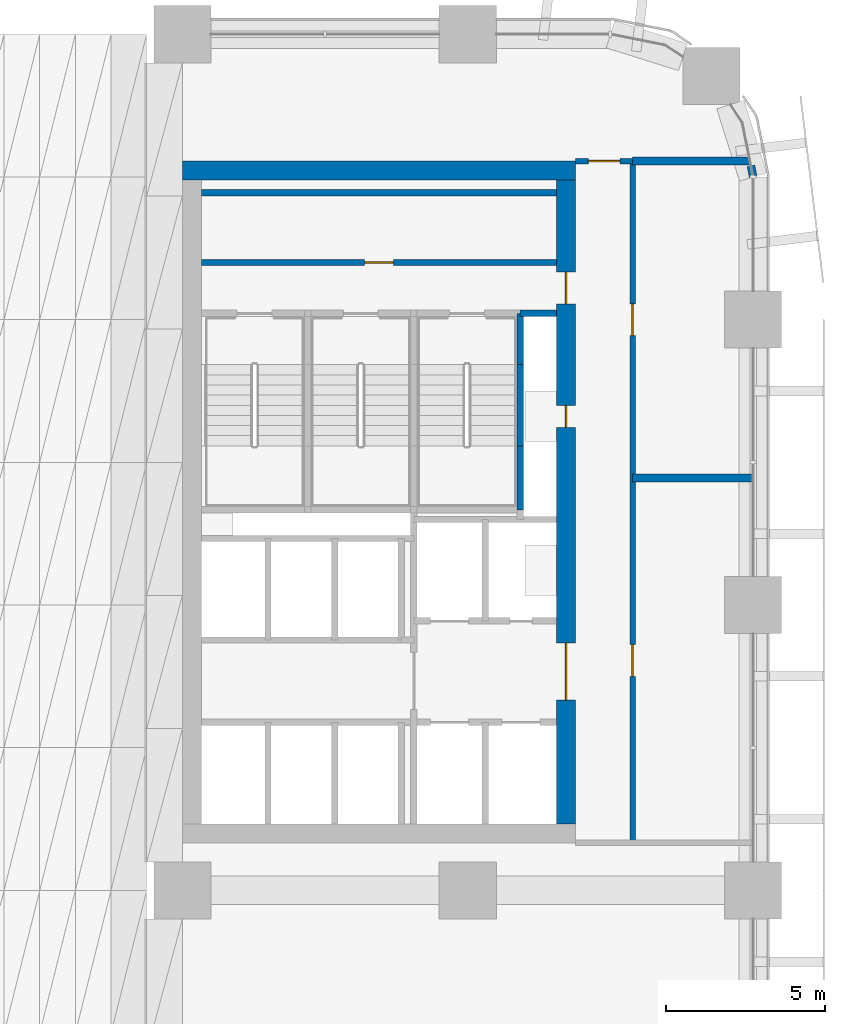
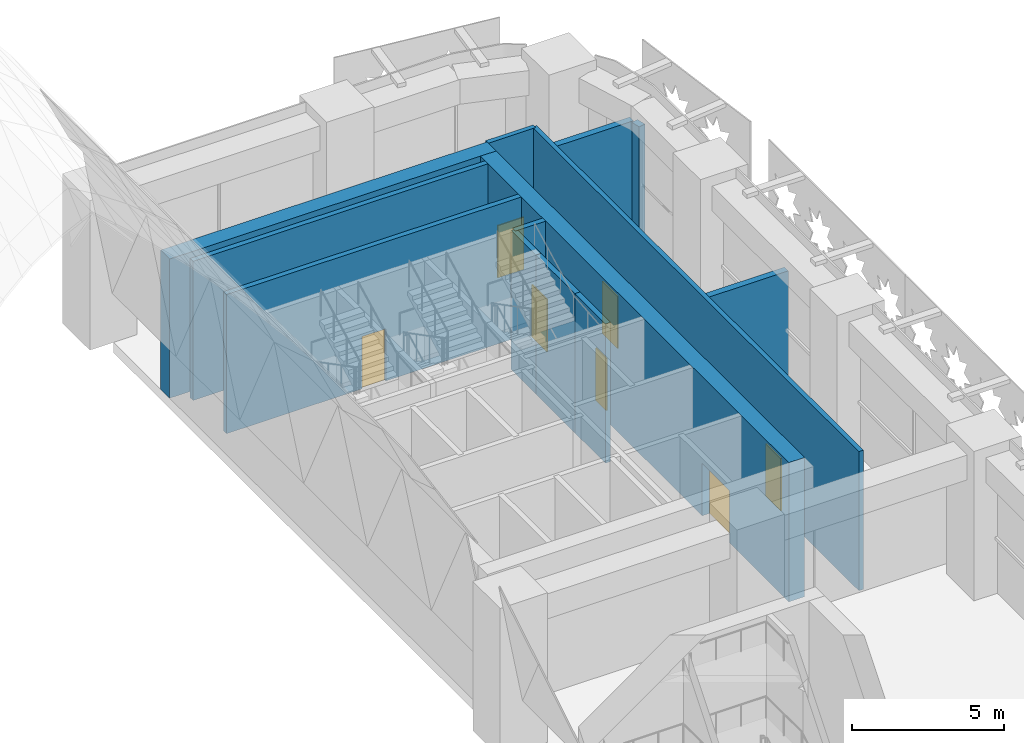
# One storey, part 22 of 46: 13 walls, 7 doors, 7 openings.
"""IFC4 building model written with IfcOpenShell, lengths in metres."""

from ifc_helpers import new_model, si_unit, direction, frame, frame_2d, origin, place, context, subcontext, project, spatial, rectangle, extrude, material, layer, layer_set, type_object, element, fill, save


model = new_model("IFC4")

# Units and contexts
model_context = context("Model", 3, precision=1e-05, world=origin(), true_north=direction((0.0, 1.0)))
body_context = subcontext(model_context, "Body", "Model", "MODEL_VIEW")
ifc_project = project(units=[si_unit("LENGTHUNIT", "METRE"), si_unit("AREAUNIT", "SQUARE_METRE"), si_unit("VOLUMEUNIT", "CUBIC_METRE"), si_unit("PLANEANGLEUNIT", "RADIAN"), si_unit("MASSUNIT", "GRAM", prefix="KILO")], contexts=[model_context])

# Site, building, storey
site_placement = place(None, origin())
site = spatial("IfcSite", under=ifc_project, at=site_placement, CompositionType="ELEMENT")
building_placement = place(site_placement, origin())
building = spatial("IfcBuilding", under=site, at=building_placement, Name="Tessera Arch", CompositionType="ELEMENT")
storey_placement = place(building_placement, frame((0.0, 0.0, 8.0)))
storey = spatial("IfcBuildingStorey", under=building, at=storey_placement, Name="L01", CompositionType="ELEMENT", Elevation=8.0)

# Wall, opening, door
ifc_material_1 = material(Name="Gypsum board on steel stud", Category="steel")
ifc_layer_1 = layer(ifc_material_1, 0.125)
ifc_layer_set_1 = layer_set([ifc_layer_1], Name="Core partition 125 EI 60")
wall_type_1 = type_object("IfcWallType", Name="Core partition 125 EI 60", PredefinedType="PARTITIONING", material=ifc_layer_set_1)
wall_1_placement = place(storey_placement, frame((36.60009765625, 46.800048828125, 0.0), z_axis=(0.0, 0.0, 1.0), x_axis=(1.0, 0.0, 0.0)))
wall_1 = element("IfcWall", 1, at=wall_1_placement, inside=storey, type_object=wall_type_1, Name="L01 C1 partition wall 37", PredefinedType="PARTITIONING", context=body_context, shape_type="SweptSolid", body=[
    extrude(rectangle(XDim=11.199951171875, YDim=0.199951171875, at=frame_2d((5.60009765625, 0.0))), origin(), (0.0, 0.0, 1.0), 5.590087890625),
])
opening_1_placement = place(wall_1_placement, frame((5.14990234375, 0.0, 0.0)))
opening_1 = element("IfcOpeningElement", 2, at=opening_1_placement, cuts=wall_1, Name="Opening L01-C12", PredefinedType="OPENING", context=body_context, shape_type="SweptSolid", body=[
    extrude(rectangle(XDim=0.89990234375, YDim=2.10009765625, at=frame_2d((0.449951171875, 1.050048828125))), frame((0.0, 0.10986328125, 0.0), z_axis=(0.0, -1.0, 0.0), x_axis=(1.0, 0.0, 0.0)), (0.0, 0.0, 1.0), 0.219970703125),
])
ifc_material_2 = material(Name="Steel door leaf", Category="steel")
door_type_1 = type_object("IfcDoorType", Name="Store door FD30S 900 x 2100", OperationType="SINGLE_SWING_LEFT", PredefinedType="DOOR", material=ifc_material_2)
door_1_placement = place(opening_1_placement, origin())
door_1 = element("IfcDoor", 3, at=door_1_placement, inside=storey, type_object=door_type_1, Name="L01 C1 door 12 C12 type D09", OperationType="SINGLE_SWING_RIGHT", OverallHeight=2.10009765625, OverallWidth=0.89990234375, PredefinedType="DOOR", context=body_context, shape_type="SweptSolid", body=[
    extrude(rectangle(XDim=0.89990234375, YDim=2.10009765625, at=frame_2d((0.449951171875, 1.050048828125))), frame((0.0, 0.02490234375, 0.0), z_axis=(0.0, -1.0, 0.0), x_axis=(1.0, 0.0, 0.0)), (0.0, 0.0, 1.0), 0.050048828125),
])
fill(opening_1, door_1)

# Walls
wall_2_placement = place(storey_placement, frame((36.60009765625, 49.0, 0.0), z_axis=(0.0, 0.0, 1.0), x_axis=(1.0, 0.0, 0.0)))
element("IfcWall", 4, at=wall_2_placement, inside=storey, type_object=wall_type_1, Name="L01 C1 partition wall 38", PredefinedType="PARTITIONING", context=body_context, shape_type="SweptSolid", body=[
    extrude(rectangle(XDim=11.199951171875, YDim=0.199951171875, at=frame_2d((5.60009765625, 0.0))), origin(), (0.0, 0.0, 1.0), 5.590087890625),
])
ifc_material_3 = material(Name="Concrete C70/85", Category="concrete")
ifc_layer_2 = layer(ifc_material_3, 0.60009765625)
ifc_layer_set_2 = layer_set([ifc_layer_2], Name="Core shell wall 600 C70-85")
wall_type_2 = type_object("IfcWallType", Name="Core shell wall 600 C70-85", PredefinedType="SHEAR", material=ifc_layer_set_2)
wall_3_placement = place(storey_placement, frame((36.0, 49.699951171875, 0.0), z_axis=(0.0, 0.0, 1.0), x_axis=(1.0, 0.0, 0.0)))
element("IfcWall", 5, at=wall_3_placement, inside=storey, type_object=wall_type_2, Name="L01 C1 core wall N", PredefinedType="SHEAR", context=body_context, shape_type="SweptSolid", body=[
    extrude(rectangle(XDim=12.39990234375, YDim=0.60009765625, at=frame_2d((6.199951171875, 0.0))), origin(), (0.0, 0.0, 1.0), 5.590087890625),
])

# Wall, openings, doors
wall_4_placement = place(storey_placement, frame((48.10009765625, 29.10009765625, 0.0), z_axis=(0.0, 0.0, 1.0), x_axis=(0.0, 1.0, 0.0)))
wall_4 = element("IfcWall", 6, at=wall_4_placement, inside=storey, type_object=wall_type_2, Name="L01 C1 core wall E", PredefinedType="SHEAR", context=body_context, shape_type="SweptSolid", body=[
    extrude(rectangle(XDim=20.2998046875, YDim=0.60009765625, at=frame_2d((10.14990234375, 0.0))), origin(), (0.0, 0.0, 1.0), 5.590087890625),
])
opening_2_placement = place(wall_4_placement, frame((12.5, 0.0, 0.0)))
opening_2 = element("IfcOpeningElement", 7, at=opening_2_placement, cuts=wall_4, Name="Opening L01-C08", PredefinedType="OPENING", context=body_context, shape_type="SweptSolid", body=[
    extrude(rectangle(XDim=0.699951171875, YDim=2.10009765625, at=frame_2d((0.35009765625, 1.050048828125))), frame((0.0, 0.31005859375, 0.0), z_axis=(0.0, -1.0, 0.0), x_axis=(1.0, 0.0, 0.0)), (0.0, 0.0, 1.0), 0.6201171875),
])
opening_3_placement = place(wall_4_placement, frame((3.89990234375, 0.0, 0.0)))
opening_3 = element("IfcOpeningElement", 8, at=opening_3_placement, cuts=wall_4, Name="Opening L01-C09", PredefinedType="OPENING", context=body_context, shape_type="SweptSolid", body=[
    extrude(rectangle(XDim=1.800048828125, YDim=2.10009765625, at=frame_2d((0.89990234375, 1.050048828125))), frame((0.0, 0.31005859375, 0.0), z_axis=(0.0, -1.0, 0.0), x_axis=(1.0, 0.0, 0.0)), (0.0, 0.0, 1.0), 0.6201171875),
])
opening_4_placement = place(wall_4_placement, frame((16.39990234375, 0.0, 0.0)))
opening_4 = element("IfcOpeningElement", 9, at=opening_4_placement, cuts=wall_4, Name="Opening L01-C11", PredefinedType="OPENING", context=body_context, shape_type="SweptSolid", body=[
    extrude(rectangle(XDim=1.0, YDim=2.10009765625, at=frame_2d((0.5, 1.050048828125))), frame((0.0, 0.31005859375, 0.0), z_axis=(0.0, -1.0, 0.0), x_axis=(1.0, 0.0, 0.0)), (0.0, 0.0, 1.0), 0.6201171875),
])
ifc_material_4 = material(Name="Steel door leaf", Category="steel")
door_type_2 = type_object("IfcDoorType", Name="Corridor door FD60 1000 x 2100", OperationType="SINGLE_SWING_LEFT", PredefinedType="DOOR", material=ifc_material_4)
door_2_placement = place(opening_4_placement, origin())
door_2 = element("IfcDoor", 10, at=door_2_placement, inside=storey, type_object=door_type_2, Name="L01 C1 door 11 C11 type D12", OperationType="SINGLE_SWING_RIGHT", OverallHeight=2.10009765625, OverallWidth=1.0, PredefinedType="DOOR", context=body_context, shape_type="SweptSolid", body=[
    extrude(rectangle(XDim=1.0, YDim=2.10009765625, at=frame_2d((0.5, 1.050048828125))), frame((0.0, 0.02490234375, 0.0), z_axis=(0.0, -1.0, 0.0), x_axis=(1.0, 0.0, 0.0)), (0.0, 0.0, 1.0), 0.050048828125),
])
fill(opening_4, door_2)
ifc_material_5 = material(Name="Glazed steel door leaf", Category="steel")
door_type_3 = type_object("IfcDoorType", Name="Lobby double door FD60 1800 x 2100", OperationType="DOUBLE_DOOR_SINGLE_SWING", PredefinedType="DOOR", material=ifc_material_5)
door_3_placement = place(opening_3_placement, origin())
door_3 = element("IfcDoor", 11, at=door_3_placement, inside=storey, type_object=door_type_3, Name="L01 C1 door 9 C09 type D19", OperationType="DOUBLE_DOOR_SINGLE_SWING", OverallHeight=2.10009765625, OverallWidth=1.800048828125, PredefinedType="DOOR", context=body_context, shape_type="SweptSolid", body=[
    extrude(rectangle(XDim=1.800048828125, YDim=2.10009765625, at=frame_2d((0.89990234375, 1.050048828125))), frame((0.0, 0.02490234375, 0.0), z_axis=(0.0, -1.0, 0.0), x_axis=(1.0, 0.0, 0.0)), (0.0, 0.0, 1.0), 0.050048828125),
])
fill(opening_3, door_3)
ifc_material_6 = material(Name="Steel door leaf", Category="steel")
door_type_4 = type_object("IfcDoorType", Name="Service shaft door FD60 700 x 2100", OperationType="SINGLE_SWING_LEFT", PredefinedType="DOOR", material=ifc_material_6)
door_4_placement = place(opening_2_placement, origin())
door_4 = element("IfcDoor", 12, at=door_4_placement, inside=storey, type_object=door_type_4, Name="L01 C1 door 8 C08 type D07", OperationType="SINGLE_SWING_RIGHT", OverallHeight=2.10009765625, OverallWidth=0.699951171875, PredefinedType="DOOR", context=body_context, shape_type="SweptSolid", body=[
    extrude(rectangle(XDim=0.699951171875, YDim=2.10009765625, at=frame_2d((0.35009765625, 1.050048828125))), frame((0.0, 0.02490234375, 0.0), z_axis=(0.0, -1.0, 0.0), x_axis=(1.0, 0.0, 0.0)), (0.0, 0.0, 1.0), 0.050048828125),
])
fill(opening_2, door_4)

# Wall, opening, door
ifc_material_7 = material(Name="Gypsum board on deep steel stud with mineral wool", Category="steel")
ifc_layer_3 = layer(ifc_material_7, 0.175048828125)
ifc_layer_set_3 = layer_set([ifc_layer_3], Name="Corridor wall 175 EI 60")
wall_type_3 = type_object("IfcWallType", Name="Corridor wall 175 EI 60", PredefinedType="PARTITIONING", material=ifc_layer_set_3)
wall_5_placement = place(storey_placement, frame((48.39990234375, 50.0, 0.0), z_axis=(0.0, 0.0, 1.0), x_axis=(1.0, 0.0, 0.0)))
wall_5 = element("IfcWall", 13, at=wall_5_placement, inside=storey, type_object=wall_type_3, Name="L01 partition 11", PredefinedType="PARTITIONING", context=body_context, shape_type="SweptSolid", body=[
    extrude(rectangle(XDim=1.800048828125, YDim=0.175048828125, at=frame_2d((0.89990234375, 0.0))), origin(), (0.0, 0.0, 1.0), 5.590087890625),
])
opening_5_placement = place(wall_5_placement, frame((0.39990234375, 0.0, 0.0)))
opening_5 = element("IfcOpeningElement", 14, at=opening_5_placement, cuts=wall_5, Name="Opening L01-D022", PredefinedType="OPENING", context=body_context, shape_type="SweptSolid", body=[
    extrude(rectangle(XDim=1.0, YDim=2.10009765625, at=frame_2d((0.5, 1.050048828125))), frame((0.0, 0.097412109375, 0.0), z_axis=(0.0, -1.0, 0.0), x_axis=(1.0, 0.0, 0.0)), (0.0, 0.0, 1.0), 0.195068359375),
])
ifc_material_8 = material(Name="Fire-rated door leaf")
door_type_5 = type_object("IfcDoorType", Name="Entrance door FD60 1000 x 2100", OperationType="SINGLE_SWING_LEFT", PredefinedType="DOOR", material=ifc_material_8)
door_5_placement = place(opening_5_placement, origin())
door_5 = element("IfcDoor", 15, at=door_5_placement, inside=storey, type_object=door_type_5, Name="L01 door D022 type D16", OperationType="SINGLE_SWING_RIGHT", OverallHeight=2.10009765625, OverallWidth=1.0, PredefinedType="DOOR", context=body_context, shape_type="SweptSolid", body=[
    extrude(rectangle(XDim=1.0, YDim=2.10009765625, at=frame_2d((0.5, 1.050048828125))), frame((0.0, 0.02490234375, 0.0), z_axis=(0.0, -1.0, 0.0), x_axis=(1.0, 0.0, 0.0)), (0.0, 0.0, 1.0), 0.050048828125),
])
fill(opening_5, door_5)

# Wall, openings, doors
wall_6_placement = place(storey_placement, frame((50.199951171875, 28.5, 0.0), z_axis=(0.0, 0.0, 1.0), x_axis=(0.0, 1.0, 0.0)))
wall_6 = element("IfcWall", 16, at=wall_6_placement, inside=storey, type_object=wall_type_3, Name="L01 partition 21", PredefinedType="PARTITIONING", context=body_context, shape_type="SweptSolid", body=[
    extrude(rectangle(XDim=21.5, YDim=0.175048828125, at=frame_2d((10.75, 0.0))), origin(), (0.0, 0.0, 1.0), 5.590087890625),
])
opening_6_placement = place(wall_6_placement, frame((5.25, 0.0, 0.0)))
opening_6 = element("IfcOpeningElement", 17, at=opening_6_placement, cuts=wall_6, Name="Opening L01-D011", PredefinedType="OPENING", context=body_context, shape_type="SweptSolid", body=[
    extrude(rectangle(XDim=1.0, YDim=2.10009765625, at=frame_2d((0.5, 1.050048828125))), frame((0.0, 0.097412109375, 0.0), z_axis=(0.0, -1.0, 0.0), x_axis=(1.0, 0.0, 0.0)), (0.0, 0.0, 1.0), 0.195068359375),
])
opening_7_placement = place(wall_6_placement, frame((16.0, 0.0, 0.0)))
opening_7 = element("IfcOpeningElement", 18, at=opening_7_placement, cuts=wall_6, Name="Opening L01-D012", PredefinedType="OPENING", context=body_context, shape_type="SweptSolid", body=[
    extrude(rectangle(XDim=1.0, YDim=2.10009765625, at=frame_2d((0.5, 1.050048828125))), frame((0.0, 0.097412109375, 0.0), z_axis=(0.0, -1.0, 0.0), x_axis=(1.0, 0.0, 0.0)), (0.0, 0.0, 1.0), 0.195068359375),
])
ifc_material_9 = material(Name="Fire-rated door leaf")
door_type_6 = type_object("IfcDoorType", Name="Entrance door FD30S 1000 x 2100", OperationType="SINGLE_SWING_LEFT", PredefinedType="DOOR", material=ifc_material_9)
door_6_placement = place(opening_6_placement, origin())
door_6 = element("IfcDoor", 19, at=door_6_placement, inside=storey, type_object=door_type_6, Name="L01 door D011 type D03", OperationType="SINGLE_SWING_LEFT", OverallHeight=2.10009765625, OverallWidth=1.0, PredefinedType="DOOR", context=body_context, shape_type="SweptSolid", body=[
    extrude(rectangle(XDim=1.0, YDim=2.10009765625, at=frame_2d((0.5, 1.050048828125))), frame((0.0, 0.02490234375, 0.0), z_axis=(0.0, -1.0, 0.0), x_axis=(1.0, 0.0, 0.0)), (0.0, 0.0, 1.0), 0.050048828125),
])
fill(opening_6, door_6)
door_7_placement = place(opening_7_placement, origin())
door_7 = element("IfcDoor", 20, at=door_7_placement, inside=storey, type_object=door_type_6, Name="L01 door D012 type D03", OperationType="SINGLE_SWING_LEFT", OverallHeight=2.10009765625, OverallWidth=1.0, PredefinedType="DOOR", context=body_context, shape_type="SweptSolid", body=[
    extrude(rectangle(XDim=1.0, YDim=2.10009765625, at=frame_2d((0.5, 1.050048828125))), frame((0.0, 0.02490234375, 0.0), z_axis=(0.0, -1.0, 0.0), x_axis=(1.0, 0.0, 0.0)), (0.0, 0.0, 1.0), 0.050048828125),
])
fill(opening_7, door_7)

# Walls
ifc_material_10 = material(Name="Double gypsum board on twin steel stud with acoustic mineral wool", Category="steel")
ifc_layer_4 = layer(ifc_material_10, 0.25)
ifc_layer_set_4 = layer_set([ifc_layer_4], Name="Party wall 250 EI 60")
wall_type_4 = type_object("IfcWallType", Name="Party wall 250 EI 60", PredefinedType="PARTITIONING", material=ifc_layer_set_4)
wall_7_placement = place(storey_placement, frame((50.199951171875, 40.0, 0.0), z_axis=(0.0, 0.0, 1.0), x_axis=(1.0, 0.0, 0.0)))
element("IfcWall", 21, at=wall_7_placement, inside=storey, type_object=wall_type_4, Name="L01 partition 37", PredefinedType="PARTITIONING", context=body_context, shape_type="SweptSolid", body=[
    extrude(rectangle(XDim=3.800048828125, YDim=0.25, at=frame_2d((1.89990234375, 0.0))), origin(), (0.0, 0.0, 1.0), 4.590087890625),
])
wall_8_placement = place(storey_placement, frame((50.199951171875, 50.0, 0.0), z_axis=(0.0, 0.0, 1.0), x_axis=(1.0, 0.0, 0.0)))
element("IfcWall", 22, at=wall_8_placement, inside=storey, type_object=wall_type_4, Name="L01 partition 38", PredefinedType="PARTITIONING", context=body_context, shape_type="SweptSolid", body=[
    extrude(rectangle(XDim=3.700439453125, YDim=0.25, at=frame_2d((1.85009765625, 0.0))), origin(), (0.0, 0.0, 1.0), 4.590087890625),
])
wall_9_placement = place(storey_placement, frame((53.930419921875, 49.8505859375, 0.0), z_axis=(0.0, 0.0, 1.0), x_axis=(0.194670995803, -0.980868596395, 0.0)))
element("IfcWall", 23, at=wall_9_placement, inside=storey, type_object=wall_type_4, Name="L01 partition 40", PredefinedType="PARTITIONING", context=body_context, shape_type="SweptSolid", body=[
    extrude(rectangle(XDim=0.357421875, YDim=0.25, at=frame_2d((0.1787109375, 0.0))), origin(), (0.0, 0.0, 1.0), 4.590087890625),
])
ifc_material_11 = material(Name="Concrete C40/50", Category="concrete")
ifc_layer_5 = layer(ifc_material_11, 0.199951171875)
ifc_layer_set_5 = layer_set([ifc_layer_5], Name="Shaft wall 200 EI 120")
wall_type_5 = type_object("IfcWallType", Name="Shaft wall 200 EI 120", PredefinedType="SOLIDWALL", material=ifc_layer_set_5)
wall_10_placement = place(storey_placement, frame((46.64990234375, 45.199951171875, 0.0), z_axis=(0.0, 0.0, 1.0), x_axis=(1.0, 0.0, 0.0)))
element("IfcWall", 24, at=wall_10_placement, inside=storey, type_object=wall_type_5, Name="L01 C1 shaft wall 31", PredefinedType="SOLIDWALL", context=body_context, shape_type="SweptSolid", body=[
    extrude(rectangle(XDim=1.150146484375, YDim=0.199951171875, at=frame_2d((0.5751953125, 0.0))), origin(), (0.0, 0.0, 1.0), 5.590087890625),
])
ifc_material_12 = material(Name="Concrete C40/50", Category="concrete")
ifc_layer_6 = layer(ifc_material_12, 0.199951171875)
ifc_layer_set_6 = layer_set([ifc_layer_6], Name="Stair well wall 200 REI 180")
wall_type_6 = type_object("IfcWallType", Name="Stair well wall 200 REI 180", PredefinedType="SOLIDWALL", material=ifc_layer_set_6)
wall_11_placement = place(storey_placement, frame((46.64990234375, 39.0, 0.0), z_axis=(0.0, 0.0, 1.0), x_axis=(0.0, 1.0, 0.0)))
element("IfcWall", 25, at=wall_11_placement, inside=storey, type_object=wall_type_6, Name="L01 C1 shaft wall 17", PredefinedType="SOLIDWALL", context=body_context, shape_type="SweptSolid", body=[
    extrude(rectangle(XDim=2.02001953125, YDim=0.199951171875, at=frame_2d((1.010009765625, 0.0))), origin(), (0.0, 0.0, 1.0), 5.590087890625),
])
wall_12_placement = place(storey_placement, frame((46.64990234375, 41.02001953125, 0.0), z_axis=(0.0, 0.0, 1.0), x_axis=(0.0, 1.0, 0.0)))
element("IfcWall", 26, at=wall_12_placement, inside=storey, type_object=wall_type_6, Name="L01 C1 shaft wall 18", PredefinedType="SOLIDWALL", context=body_context, shape_type="SweptSolid", body=[
    extrude(rectangle(XDim=2.56005859375, YDim=0.199951171875, at=frame_2d((1.280029296875, 0.0))), origin(), (0.0, 0.0, 1.0), 5.590087890625),
])
wall_13_placement = place(storey_placement, frame((46.64990234375, 43.580078125, 0.0), z_axis=(0.0, 0.0, 1.0), x_axis=(0.0, 1.0, 0.0)))
element("IfcWall", 27, at=wall_13_placement, inside=storey, type_object=wall_type_6, Name="L01 C1 shaft wall 19", PredefinedType="SOLIDWALL", context=body_context, shape_type="SweptSolid", body=[
    extrude(rectangle(XDim=1.619873046875, YDim=0.199951171875, at=frame_2d((0.81005859375, 0.0))), origin(), (0.0, 0.0, 1.0), 5.590087890625),
])

save(model, "model.ifc")
